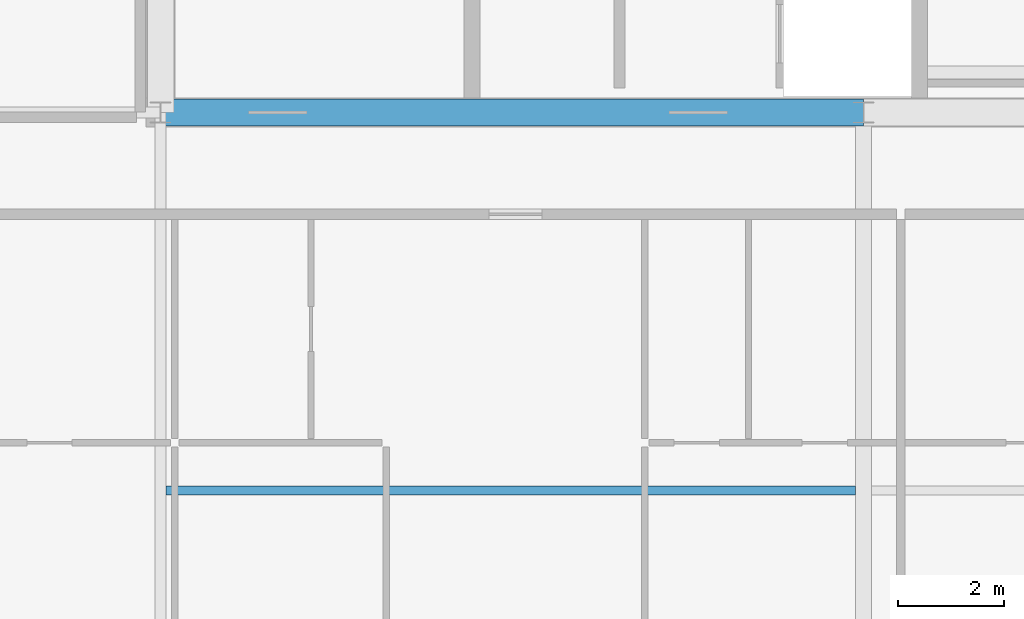
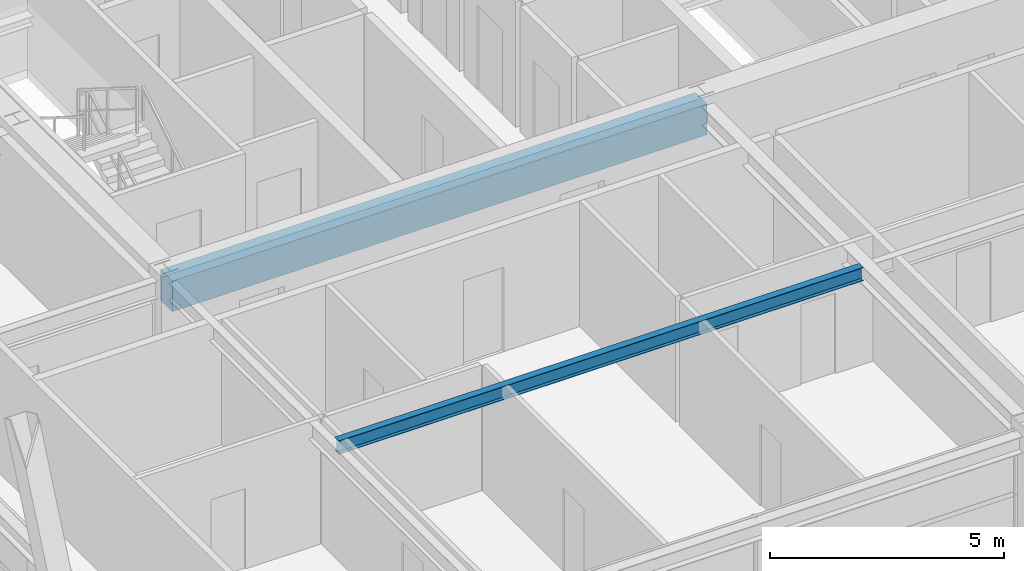
# One storey, part 9 of 35: 2 beams.
"""IFC4 building model written with IfcOpenShell, lengths in metres."""

from ifc_helpers import new_model, si_unit, direction, frame, origin, origin_2d, place, context, subcontext, project, spatial, rectangle, i_section, extrude, source, transform, mapped, material, material_profile, profile_set, type_object, element, save


model = new_model("IFC4")

# Units and contexts
model_context = context("Model", 3, precision=1e-05, world=origin(), true_north=direction((0.0, 1.0)))
body_context = subcontext(model_context, "Body", "Model", "MODEL_VIEW")
ifc_project = project(units=[si_unit("LENGTHUNIT", "METRE"), si_unit("AREAUNIT", "SQUARE_METRE"), si_unit("VOLUMEUNIT", "CUBIC_METRE"), si_unit("PLANEANGLEUNIT", "RADIAN"), si_unit("MASSUNIT", "GRAM", prefix="KILO"), si_unit("THERMODYNAMICTEMPERATUREUNIT", "KELVIN"), si_unit("POWERUNIT", "WATT")], contexts=[model_context])

# Site, building, storey
site_placement = place(None, origin())
site = spatial("IfcSite", under=ifc_project, at=site_placement, CompositionType="ELEMENT")
building_placement = place(site_placement, origin())
building = spatial("IfcBuilding", under=site, at=building_placement, Name="Yuzanri Waterfront Tower", CompositionType="ELEMENT")
storey_placement = place(building_placement, frame((0.0, 0.0, 227.60009765625)))
storey = spatial("IfcBuildingStorey", under=building, at=storey_placement, Name="L60", CompositionType="ELEMENT", Elevation=227.60009765625)

# Beams
ifc_material_1 = material(Name="Concrete C50", Category="concrete")
ifc_material_profile_1 = material_profile(ifc_material_1, rectangle(XDim=0.5, YDim=0.800048828125, at=origin_2d()), Name="RC 500x800")
ifc_profile_set_1 = profile_set([ifc_material_profile_1], Name="Concrete C50")
beam_type_1 = type_object("IfcBeamType", Name="Core Coupling Lintel Concrete C50 500x800", PredefinedType="LINTEL", material=ifc_profile_set_1)
shared_shape_1 = source(origin(), body_context, "Body", "SweptSolid", [
    extrude(rectangle(XDim=0.5, YDim=0.800048828125, at=origin_2d()), origin(), (0.0, 0.0, 1.0), 13.199951171875),
])
beam_1_placement = place(storey_placement, frame((23.800048828125, 19.39990234375, 2.8798828125), z_axis=(1.0, 0.0, 0.0), x_axis=(0.0, 1.0, 0.0)))
element("IfcBeam", 1, at=beam_1_placement, inside=storey, type_object=beam_type_1, Name="L60 Core Tie Beam CS1", PredefinedType="LINTEL", context=body_context, shape_type="MappedRepresentation", body=[
    mapped(shared_shape_1, transform((0.0, 0.0, 0.0), scale=1.0)),
])
ifc_material_2 = material(Name="Steel Q355B", Category="steel")
ifc_material_profile_2 = material_profile(ifc_material_2, i_section(OverallWidth=0.175048828125, OverallDepth=0.35009765625, WebThickness=0.007080078125, FlangeThickness=0.010986328125, at=origin_2d()), Name="HN 350x175x7x11")
ifc_profile_set_2 = profile_set([ifc_material_profile_2], Name="Steel Q355B")
beam_type_2 = type_object("IfcBeamType", Name="Floor Joist Q355B HN 350x175", PredefinedType="JOIST", material=ifc_profile_set_2)
shared_shape_2 = source(origin(), body_context, "Body", "SweptSolid", [
    extrude(i_section(OverallWidth=0.175048828125, OverallDepth=0.35009765625, WebThickness=0.007080078125, FlangeThickness=0.010986328125, at=origin_2d()), origin(), (0.0, 0.0, 1.0), 12.9501953125),
])
beam_2_placement = place(storey_placement, frame((23.89990234375, 12.300048828125, 3.10498046875), z_axis=(1.0, 0.0, 0.0), x_axis=(0.0, 1.0, 0.0)))
element("IfcBeam", 2, at=beam_2_placement, inside=storey, type_object=beam_type_2, Name="L60 South Bay Joist W", PredefinedType="JOIST", context=body_context, shape_type="MappedRepresentation", body=[
    mapped(shared_shape_2, transform((0.0, 0.0, 0.0), scale=1.0)),
])

save(model, "model.ifc")
